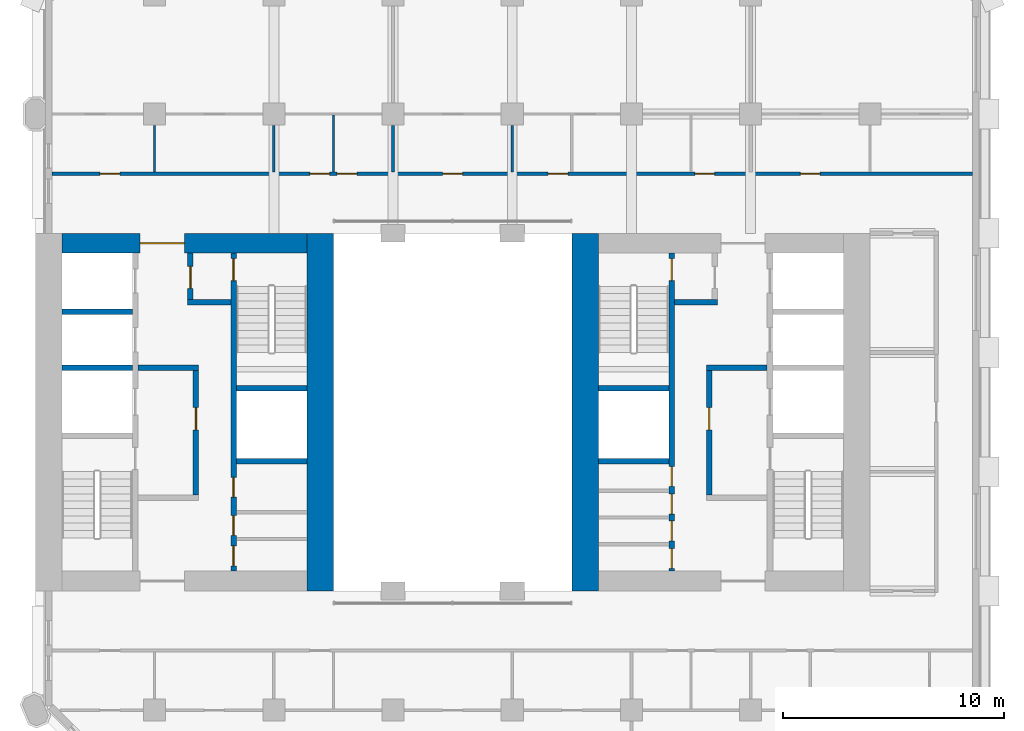
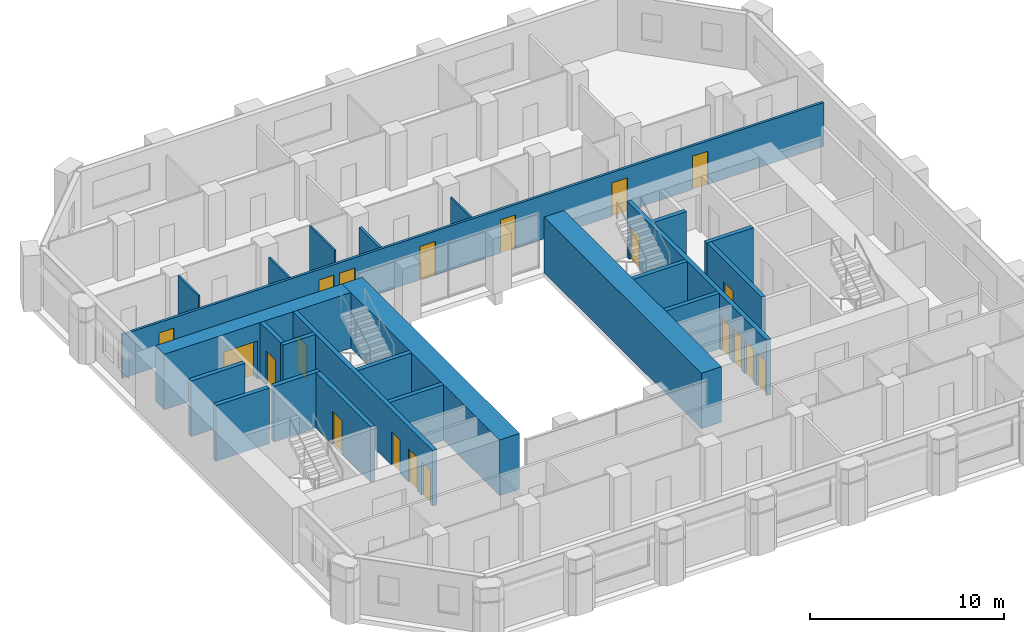
# One storey, part 5 of 11: 24 walls, 20 doors, 20 openings.
"""IFC4 building model written with IfcOpenShell, lengths in metres."""

from ifc_helpers import new_model, si_unit, direction, frame, frame_2d, origin, place, context, subcontext, project, spatial, rectangle, extrude, material, layer, layer_set, type_object, element, fill, save


model = new_model("IFC4")

# Units and contexts
model_context = context("Model", 3, precision=1e-05, world=origin(), true_north=direction((0.0, 1.0)))
body_context = subcontext(model_context, "Body", "Model", "MODEL_VIEW")
ifc_project = project(units=[si_unit("LENGTHUNIT", "METRE"), si_unit("AREAUNIT", "SQUARE_METRE"), si_unit("VOLUMEUNIT", "CUBIC_METRE"), si_unit("PLANEANGLEUNIT", "RADIAN"), si_unit("MASSUNIT", "GRAM", prefix="KILO")], contexts=[model_context])

# Site, building, storey
site_placement = place(None, origin())
site = spatial("IfcSite", under=ifc_project, at=site_placement, CompositionType="ELEMENT")
building_placement = place(site_placement, origin())
building = spatial("IfcBuilding", under=site, at=building_placement, Name="Tabaq Tower and Sports Hall", CompositionType="ELEMENT")
storey_placement = place(building_placement, frame((0.0, 0.0, 76.39990234375)))
storey = spatial("IfcBuildingStorey", under=building, at=storey_placement, Name="L17", CompositionType="ELEMENT", Elevation=76.39990234375)

# Walls
ifc_material_1 = material(Name="Concrete C60/75", Category="concrete")
ifc_layer_1 = layer(ifc_material_1, 1.199951171875)
ifc_layer_set_1 = layer_set([ifc_layer_1], Name="Core wall 1200 Concrete C60/75")
wall_type_1 = type_object("IfcWallType", Name="Core wall 1200 Concrete C60/75", PredefinedType="SOLIDWALL", material=ifc_layer_set_1)
for number, where, z_axis, x_axis, name in (
    (1, (18.300048828125, 32.39990234375, 0.0), (0.0, 0.0, 1.0), (0.0, -1.0, 0.0), "Core wall W L17"),
    (2, (30.300048828125, 16.199951171875, 0.0), (0.0, 0.0, 1.0), (0.0, 1.0, 0.0), "Core wall E L17"),
):
    element("IfcWall", number, at=place(storey_placement, frame(where, z_axis=z_axis, x_axis=x_axis)), inside=storey, type_object=wall_type_1, Name=name, PredefinedType="SOLIDWALL", context=body_context, shape_type="SweptSolid", body=[
        extrude(rectangle(XDim=16.199951171875, YDim=1.199951171875, at=frame_2d((8.10009765625, 0.0))), origin(), (0.0, 0.0, 1.0), 3.5),
    ])

# Wall, opening, door
ifc_material_2 = material(Name="Concrete C60/75", Category="concrete")
ifc_layer_2 = layer(ifc_material_2, 0.89990234375)
ifc_layer_set_2 = layer_set([ifc_layer_2], Name="Core wall 900 Concrete C60/75")
wall_type_2 = type_object("IfcWallType", Name="Core wall 900 Concrete C60/75", PredefinedType="SOLIDWALL", material=ifc_layer_set_2)
wall_1_placement = place(storey_placement, frame((6.60009765625, 31.949951171875, 0.0), z_axis=(0.0, 0.0, 1.0), x_axis=(1.0, 0.0, 0.0)))
wall_1 = element("IfcWall", 3, at=wall_1_placement, inside=storey, type_object=wall_type_2, Name="Core wall W L17", PredefinedType="SOLIDWALL", context=body_context, shape_type="SweptSolid", body=[
    extrude(rectangle(XDim=11.099853515625, YDim=0.89990234375, at=frame_2d((5.5498046875, 0.0))), origin(), (0.0, 0.0, 1.0), 3.5),
])
opening_1_placement = place(wall_1_placement, frame((3.550048828125, 0.0, 0.0)))
opening_1 = element("IfcOpeningElement", 4, at=opening_1_placement, cuts=wall_1, Name="Opening PD-WL17-02", PredefinedType="OPENING", context=body_context, shape_type="SweptSolid", body=[
    extrude(rectangle(XDim=2.0, YDim=2.39990234375, at=frame_2d((1.0, 1.199951171875))), frame((0.0, 0.449951171875, 0.0), z_axis=(0.0, -1.0, 0.0), x_axis=(1.0, 0.0, 0.0)), (0.0, 0.0, 1.0), 0.89990234375),
])
ifc_material_3 = material(Name="Steel fire door", Category="steel")
door_type_1 = type_object("IfcDoorType", Name="Core entrance door 2000", OperationType="DOUBLE_DOOR_SINGLE_SWING", PredefinedType="DOOR", material=ifc_material_3)
door_1_placement = place(opening_1_placement, origin())
door_1 = element("IfcDoor", 5, at=door_1_placement, inside=storey, type_object=door_type_1, Name="Core entrance north W L17", OperationType="DOUBLE_DOOR_SINGLE_SWING", OverallHeight=2.39990234375, OverallWidth=2.0, PredefinedType="DOOR", context=body_context, shape_type="SweptSolid", body=[
    extrude(rectangle(XDim=2.0, YDim=2.39990234375, at=frame_2d((1.0, 1.199951171875))), frame((0.0, 0.02490234375, 0.0), z_axis=(0.0, -1.0, 0.0), x_axis=(1.0, 0.0, 0.0)), (0.0, 0.0, 1.0), 0.050048828125),
])
fill(opening_1, door_1)

# Walls
ifc_material_4 = material(Name="Gypsum board on steel studs", Category="steel")
ifc_layer_3 = layer(ifc_material_4, 0.10009765625)
ifc_layer_set_3 = layer_set([ifc_layer_3], Name="Partition 100 Gypsum board")
wall_type_3 = type_object("IfcWallType", Name="Partition 100 Gypsum board", PredefinedType="PARTITIONING", material=ifc_layer_set_3)
wall_2_placement = place(storey_placement, frame((10.800048828125, 35.175048828125, 0.0), z_axis=(0.0, 0.0, 1.0), x_axis=(0.0, 1.0, 0.0)))
element("IfcWall", 6, at=wall_2_placement, inside=storey, type_object=wall_type_3, Name="Partition wall L17", PredefinedType="PARTITIONING", context=body_context, shape_type="SweptSolid", body=[
    extrude(rectangle(XDim=2.10498046875, YDim=0.10009765625, at=frame_2d((1.052490234375, 0.0))), origin(), (0.0, 0.0, 1.0), 3.5),
])
wall_3_placement = place(storey_placement, frame((16.199951171875, 35.175048828125, 0.0), z_axis=(0.0, 0.0, 1.0), x_axis=(0.0, 1.0, 0.0)))
element("IfcWall", 7, at=wall_3_placement, inside=storey, type_object=wall_type_3, Name="Partition wall L17", PredefinedType="PARTITIONING", context=body_context, shape_type="SweptSolid", body=[
    extrude(rectangle(XDim=2.10498046875, YDim=0.10009765625, at=frame_2d((1.052490234375, 0.0))), origin(), (0.0, 0.0, 1.0), 2.75),
])
wall_4_placement = place(storey_placement, frame((18.89990234375, 35.175048828125, 0.0), z_axis=(0.0, 0.0, 1.0), x_axis=(0.0, 1.0, 0.0)))
element("IfcWall", 8, at=wall_4_placement, inside=storey, type_object=wall_type_3, Name="Partition wall L17", PredefinedType="PARTITIONING", context=body_context, shape_type="SweptSolid", body=[
    extrude(rectangle(XDim=2.574951171875, YDim=0.10009765625, at=frame_2d((1.28759765625, 0.0))), origin(), (0.0, 0.0, 1.0), 3.5),
])
wall_5_placement = place(storey_placement, frame((27.0, 35.175048828125, 0.0), z_axis=(0.0, 0.0, 1.0), x_axis=(0.0, 1.0, 0.0)))
element("IfcWall", 9, at=wall_5_placement, inside=storey, type_object=wall_type_3, Name="Partition wall L17", PredefinedType="PARTITIONING", context=body_context, shape_type="SweptSolid", body=[
    extrude(rectangle(XDim=2.10498046875, YDim=0.10009765625, at=frame_2d((1.052490234375, 0.0))), origin(), (0.0, 0.0, 1.0), 2.75),
])

# Wall, openings, doors
ifc_material_5 = material(Name="Blockwork", Category="masonry")
ifc_layer_4 = layer(ifc_material_5, 0.14990234375)
ifc_layer_set_4 = layer_set([ifc_layer_4], Name="Separating wall 150 Blockwork")
wall_type_4 = type_object("IfcWallType", Name="Separating wall 150 Blockwork", PredefinedType="PARTITIONING", material=ifc_layer_set_4)
wall_6_placement = place(storey_placement, frame((47.84912109375, 35.10009765625, 0.0), z_axis=(0.0, 0.0, 1.0), x_axis=(-1.0, 0.0, 0.0)))
wall_6 = element("IfcWall", 10, at=wall_6_placement, inside=storey, type_object=wall_type_4, Name="Separating wall L17", PredefinedType="PARTITIONING", context=body_context, shape_type="SweptSolid", body=[
    extrude(rectangle(XDim=41.6982421875, YDim=0.14990234375, at=frame_2d((20.84912109375, 0.0))), origin(), (0.0, 0.0, 1.0), 2.75),
])
opening_2_placement = place(wall_6_placement, frame((29.118896484375, 0.0, 0.0)))
opening_2 = element("IfcOpeningElement", 11, at=opening_2_placement, cuts=wall_6, Name="Opening L17-001", PredefinedType="OPENING", context=body_context, shape_type="SweptSolid", body=[
    extrude(rectangle(XDim=0.89990234375, YDim=2.10009765625, at=frame_2d((0.449951171875, 1.050048828125))), frame((0.0, 0.074951171875, 0.0), z_axis=(0.0, -1.0, 0.0), x_axis=(1.0, 0.0, 0.0)), (0.0, 0.0, 1.0), 0.14990234375),
])
opening_3_placement = place(wall_6_placement, frame((27.87890625, 0.0, 0.0)))
opening_3 = element("IfcOpeningElement", 12, at=opening_3_placement, cuts=wall_6, Name="Opening L17-002", PredefinedType="OPENING", context=body_context, shape_type="SweptSolid", body=[
    extrude(rectangle(XDim=0.89990234375, YDim=2.10009765625, at=frame_2d((0.449951171875, 1.050048828125))), frame((0.0, 0.074951171875, 0.0), z_axis=(0.0, -1.0, 0.0), x_axis=(1.0, 0.0, 0.0)), (0.0, 0.0, 1.0), 0.14990234375),
])
opening_4_placement = place(wall_6_placement, frame((18.319091796875, 0.0, 0.0)))
opening_4 = element("IfcOpeningElement", 13, at=opening_4_placement, cuts=wall_6, Name="Opening L17-003", PredefinedType="OPENING", context=body_context, shape_type="SweptSolid", body=[
    extrude(rectangle(XDim=0.89990234375, YDim=2.10009765625, at=frame_2d((0.449951171875, 1.050048828125))), frame((0.0, 0.074951171875, 0.0), z_axis=(0.0, -1.0, 0.0), x_axis=(1.0, 0.0, 0.0)), (0.0, 0.0, 1.0), 0.14990234375),
])
opening_5_placement = place(wall_6_placement, frame((11.678955078125, 0.0, 0.0)))
opening_5 = element("IfcOpeningElement", 14, at=opening_5_placement, cuts=wall_6, Name="Opening L17-004", PredefinedType="OPENING", context=body_context, shape_type="SweptSolid", body=[
    extrude(rectangle(XDim=0.89990234375, YDim=2.10009765625, at=frame_2d((0.449951171875, 1.050048828125))), frame((0.0, 0.074951171875, 0.0), z_axis=(0.0, -1.0, 0.0), x_axis=(1.0, 0.0, 0.0)), (0.0, 0.0, 1.0), 0.14990234375),
])
opening_6_placement = place(wall_6_placement, frame((38.6240234375, 0.0, 0.0)))
opening_6 = element("IfcOpeningElement", 15, at=opening_6_placement, cuts=wall_6, Name="Opening L17-025", PredefinedType="OPENING", context=body_context, shape_type="SweptSolid", body=[
    extrude(rectangle(XDim=0.89990234375, YDim=2.10009765625, at=frame_2d((0.449951171875, 1.050048828125))), frame((0.0, 0.074951171875, 0.0), z_axis=(0.0, -1.0, 0.0), x_axis=(1.0, 0.0, 0.0)), (0.0, 0.0, 1.0), 0.14990234375),
])
opening_7_placement = place(wall_6_placement, frame((23.09912109375, 0.0, 0.0)))
opening_7 = element("IfcOpeningElement", 16, at=opening_7_placement, cuts=wall_6, Name="Opening L17-026", PredefinedType="OPENING", context=body_context, shape_type="SweptSolid", body=[
    extrude(rectangle(XDim=0.89990234375, YDim=2.10009765625, at=frame_2d((0.449951171875, 1.050048828125))), frame((0.0, 0.074951171875, 0.0), z_axis=(0.0, -1.0, 0.0), x_axis=(1.0, 0.0, 0.0)), (0.0, 0.0, 1.0), 0.14990234375),
])
opening_8_placement = place(wall_6_placement, frame((6.89892578125, 0.0, 0.0)))
opening_8 = element("IfcOpeningElement", 17, at=opening_8_placement, cuts=wall_6, Name="Opening L17-027", PredefinedType="OPENING", context=body_context, shape_type="SweptSolid", body=[
    extrude(rectangle(XDim=0.89990234375, YDim=2.10009765625, at=frame_2d((0.449951171875, 1.050048828125))), frame((0.0, 0.074951171875, 0.0), z_axis=(0.0, -1.0, 0.0), x_axis=(1.0, 0.0, 0.0)), (0.0, 0.0, 1.0), 0.14990234375),
])
ifc_material_6 = material(Name="Steel fire door", Category="steel")
door_type_2 = type_object("IfcDoorType", Name="Entrance door 900 left hand", OperationType="SINGLE_SWING_LEFT", PredefinedType="DOOR", material=ifc_material_6)
door_2_placement = place(opening_2_placement, origin())
door_2 = element("IfcDoor", 18, at=door_2_placement, inside=storey, type_object=door_type_2, Name="Entrance door L17-001", OperationType="SINGLE_SWING_LEFT", OverallHeight=2.10009765625, OverallWidth=0.89990234375, PredefinedType="DOOR", context=body_context, shape_type="SweptSolid", body=[
    extrude(rectangle(XDim=0.89990234375, YDim=2.10009765625, at=frame_2d((0.449951171875, 1.050048828125))), frame((0.0, 0.02490234375, 0.0), z_axis=(0.0, -1.0, 0.0), x_axis=(1.0, 0.0, 0.0)), (0.0, 0.0, 1.0), 0.050048828125),
])
fill(opening_2, door_2)
door_3_placement = place(opening_3_placement, origin())
door_3 = element("IfcDoor", 19, at=door_3_placement, inside=storey, type_object=door_type_2, Name="Entrance door L17-002", OperationType="SINGLE_SWING_LEFT", OverallHeight=2.10009765625, OverallWidth=0.89990234375, PredefinedType="DOOR", context=body_context, shape_type="SweptSolid", body=[
    extrude(rectangle(XDim=0.89990234375, YDim=2.10009765625, at=frame_2d((0.449951171875, 1.050048828125))), frame((0.0, 0.02490234375, 0.0), z_axis=(0.0, -1.0, 0.0), x_axis=(1.0, 0.0, 0.0)), (0.0, 0.0, 1.0), 0.050048828125),
])
fill(opening_3, door_3)
door_4_placement = place(opening_4_placement, origin())
door_4 = element("IfcDoor", 20, at=door_4_placement, inside=storey, type_object=door_type_2, Name="Entrance door L17-003", OperationType="SINGLE_SWING_LEFT", OverallHeight=2.10009765625, OverallWidth=0.89990234375, PredefinedType="DOOR", context=body_context, shape_type="SweptSolid", body=[
    extrude(rectangle(XDim=0.89990234375, YDim=2.10009765625, at=frame_2d((0.449951171875, 1.050048828125))), frame((0.0, 0.02490234375, 0.0), z_axis=(0.0, -1.0, 0.0), x_axis=(1.0, 0.0, 0.0)), (0.0, 0.0, 1.0), 0.050048828125),
])
fill(opening_4, door_4)
door_5_placement = place(opening_5_placement, origin())
door_5 = element("IfcDoor", 21, at=door_5_placement, inside=storey, type_object=door_type_2, Name="Entrance door L17-004", OperationType="SINGLE_SWING_LEFT", OverallHeight=2.10009765625, OverallWidth=0.89990234375, PredefinedType="DOOR", context=body_context, shape_type="SweptSolid", body=[
    extrude(rectangle(XDim=0.89990234375, YDim=2.10009765625, at=frame_2d((0.449951171875, 1.050048828125))), frame((0.0, 0.02490234375, 0.0), z_axis=(0.0, -1.0, 0.0), x_axis=(1.0, 0.0, 0.0)), (0.0, 0.0, 1.0), 0.050048828125),
])
fill(opening_5, door_5)
door_6_placement = place(opening_6_placement, origin())
door_6 = element("IfcDoor", 22, at=door_6_placement, inside=storey, type_object=door_type_2, Name="Entrance door L17-025", OperationType="SINGLE_SWING_LEFT", OverallHeight=2.10009765625, OverallWidth=0.89990234375, PredefinedType="DOOR", context=body_context, shape_type="SweptSolid", body=[
    extrude(rectangle(XDim=0.89990234375, YDim=2.10009765625, at=frame_2d((0.449951171875, 1.050048828125))), frame((0.0, 0.02490234375, 0.0), z_axis=(0.0, -1.0, 0.0), x_axis=(1.0, 0.0, 0.0)), (0.0, 0.0, 1.0), 0.050048828125),
])
fill(opening_6, door_6)
door_7_placement = place(opening_7_placement, origin())
door_7 = element("IfcDoor", 23, at=door_7_placement, inside=storey, type_object=door_type_2, Name="Entrance door L17-026", OperationType="SINGLE_SWING_LEFT", OverallHeight=2.10009765625, OverallWidth=0.89990234375, PredefinedType="DOOR", context=body_context, shape_type="SweptSolid", body=[
    extrude(rectangle(XDim=0.89990234375, YDim=2.10009765625, at=frame_2d((0.449951171875, 1.050048828125))), frame((0.0, 0.02490234375, 0.0), z_axis=(0.0, -1.0, 0.0), x_axis=(1.0, 0.0, 0.0)), (0.0, 0.0, 1.0), 0.050048828125),
])
fill(opening_7, door_7)
door_8_placement = place(opening_8_placement, origin())
door_8 = element("IfcDoor", 24, at=door_8_placement, inside=storey, type_object=door_type_2, Name="Entrance door L17-027", OperationType="SINGLE_SWING_LEFT", OverallHeight=2.10009765625, OverallWidth=0.89990234375, PredefinedType="DOOR", context=body_context, shape_type="SweptSolid", body=[
    extrude(rectangle(XDim=0.89990234375, YDim=2.10009765625, at=frame_2d((0.449951171875, 1.050048828125))), frame((0.0, 0.02490234375, 0.0), z_axis=(0.0, -1.0, 0.0), x_axis=(1.0, 0.0, 0.0)), (0.0, 0.0, 1.0), 0.050048828125),
])
fill(opening_8, door_8)

# Wall
wall_7_placement = place(storey_placement, frame((21.60009765625, 35.175048828125, 0.0), z_axis=(0.0, 0.0, 1.0), x_axis=(0.0, 1.0, 0.0)))
element("IfcWall", 25, at=wall_7_placement, inside=storey, type_object=wall_type_4, Name="Separating wall L17", PredefinedType="PARTITIONING", context=body_context, shape_type="SweptSolid", body=[
    extrude(rectangle(XDim=2.10498046875, YDim=0.14990234375, at=frame_2d((1.052490234375, 0.0))), origin(), (0.0, 0.0, 1.0), 2.75),
])

# Wall, openings, doors
ifc_material_7 = material(Name="Concrete C40/50", Category="concrete")
ifc_layer_5 = layer(ifc_material_7, 0.25)
ifc_layer_set_5 = layer_set([ifc_layer_5], Name="Shaft and stair wall 250 Concrete C40/50")
wall_type_5 = type_object("IfcWallType", Name="Shaft and stair wall 250 Concrete C40/50", PredefinedType="SOLIDWALL", material=ifc_layer_set_5)
wall_8_placement = place(storey_placement, frame((14.375, 17.10009765625, 0.0), z_axis=(0.0, 0.0, 1.0), x_axis=(0.0, 1.0, 0.0)))
wall_8 = element("IfcWall", 26, at=wall_8_placement, inside=storey, type_object=wall_type_5, Name="Shaft wall W L17", PredefinedType="SOLIDWALL", context=body_context, shape_type="SweptSolid", body=[
    extrude(rectangle(XDim=14.39990234375, YDim=0.25, at=frame_2d((7.199951171875, 0.0))), origin(), (0.0, 0.0, 1.0), 3.5),
])
opening_9_placement = place(wall_8_placement, frame((13.14990234375, 0.0, 0.0)))
opening_9 = element("IfcOpeningElement", 27, at=opening_9_placement, cuts=wall_8, Name="Opening SD-WL17-05", PredefinedType="OPENING", context=body_context, shape_type="SweptSolid", body=[
    extrude(rectangle(XDim=1.0, YDim=2.10009765625, at=frame_2d((0.5, 1.050048828125))), frame((0.0, 0.125, 0.0), z_axis=(0.0, -1.0, 0.0), x_axis=(1.0, 0.0, 0.0)), (0.0, 0.0, 1.0), 0.25),
])
opening_10_placement = place(wall_8_placement, frame((0.239990234375, 0.0, 0.0)))
opening_10 = element("IfcOpeningElement", 28, at=opening_10_placement, cuts=wall_8, Name="Opening RD-WL17-10", PredefinedType="OPENING", context=body_context, shape_type="SweptSolid", body=[
    extrude(rectangle(XDim=0.89990234375, YDim=2.10009765625, at=frame_2d((0.449951171875, 1.050048828125))), frame((0.0, 0.125, 0.0), z_axis=(0.0, -1.0, 0.0), x_axis=(1.0, 0.0, 0.0)), (0.0, 0.0, 1.0), 0.25),
])
opening_11_placement = place(wall_8_placement, frame((1.611083984375, 0.0, 0.0)))
opening_11 = element("IfcOpeningElement", 29, at=opening_11_placement, cuts=wall_8, Name="Opening RD-WL17-11", PredefinedType="OPENING", context=body_context, shape_type="SweptSolid", body=[
    extrude(rectangle(XDim=0.89990234375, YDim=2.10009765625, at=frame_2d((0.449951171875, 1.050048828125))), frame((0.0, 0.125, 0.0), z_axis=(0.0, -1.0, 0.0), x_axis=(1.0, 0.0, 0.0)), (0.0, 0.0, 1.0), 0.25),
])
opening_12_placement = place(wall_8_placement, frame((3.345947265625, 0.0, 0.0)))
opening_12 = element("IfcOpeningElement", 30, at=opening_12_placement, cuts=wall_8, Name="Opening RD-WL17-12", PredefinedType="OPENING", context=body_context, shape_type="SweptSolid", body=[
    extrude(rectangle(XDim=0.89990234375, YDim=2.10009765625, at=frame_2d((0.449951171875, 1.050048828125))), frame((0.0, 0.125, 0.0), z_axis=(0.0, -1.0, 0.0), x_axis=(1.0, 0.0, 0.0)), (0.0, 0.0, 1.0), 0.25),
])
ifc_material_8 = material(Name="Steel fire door", Category="steel")
door_type_3 = type_object("IfcDoorType", Name="Core room door 900", OperationType="SINGLE_SWING_LEFT", PredefinedType="DOOR", material=ifc_material_8)
door_9_placement = place(opening_10_placement, origin())
door_9 = element("IfcDoor", 31, at=door_9_placement, inside=storey, type_object=door_type_3, Name="Door Accessible WC W L17", OperationType="SINGLE_SWING_LEFT", OverallHeight=2.10009765625, OverallWidth=0.89990234375, PredefinedType="DOOR", context=body_context, shape_type="SweptSolid", body=[
    extrude(rectangle(XDim=0.89990234375, YDim=2.10009765625, at=frame_2d((0.449951171875, 1.050048828125))), frame((0.0, 0.02490234375, 0.0), z_axis=(0.0, -1.0, 0.0), x_axis=(1.0, 0.0, 0.0)), (0.0, 0.0, 1.0), 0.050048828125),
])
fill(opening_10, door_9)
door_10_placement = place(opening_11_placement, origin())
door_10 = element("IfcDoor", 32, at=door_10_placement, inside=storey, type_object=door_type_3, Name="Door Electrical Riser Room W L17", OperationType="SINGLE_SWING_LEFT", OverallHeight=2.10009765625, OverallWidth=0.89990234375, PredefinedType="DOOR", context=body_context, shape_type="SweptSolid", body=[
    extrude(rectangle(XDim=0.89990234375, YDim=2.10009765625, at=frame_2d((0.449951171875, 1.050048828125))), frame((0.0, 0.02490234375, 0.0), z_axis=(0.0, -1.0, 0.0), x_axis=(1.0, 0.0, 0.0)), (0.0, 0.0, 1.0), 0.050048828125),
])
fill(opening_11, door_10)
door_11_placement = place(opening_12_placement, origin())
door_11 = element("IfcDoor", 33, at=door_11_placement, inside=storey, type_object=door_type_3, Name="Door Unisex WC W L17", OperationType="SINGLE_SWING_LEFT", OverallHeight=2.10009765625, OverallWidth=0.89990234375, PredefinedType="DOOR", context=body_context, shape_type="SweptSolid", body=[
    extrude(rectangle(XDim=0.89990234375, YDim=2.10009765625, at=frame_2d((0.449951171875, 1.050048828125))), frame((0.0, 0.02490234375, 0.0), z_axis=(0.0, -1.0, 0.0), x_axis=(1.0, 0.0, 0.0)), (0.0, 0.0, 1.0), 0.050048828125),
])
fill(opening_12, door_11)
ifc_material_9 = material(Name="Steel fire door", Category="steel")
door_type_4 = type_object("IfcDoorType", Name="Stair door 1000", OperationType="SINGLE_SWING_LEFT", PredefinedType="DOOR", material=ifc_material_9)
door_12_placement = place(opening_9_placement, origin())
door_12 = element("IfcDoor", 34, at=door_12_placement, inside=storey, type_object=door_type_4, Name="Stair door ST2 W L17", OperationType="SINGLE_SWING_LEFT", OverallHeight=2.10009765625, OverallWidth=1.0, PredefinedType="DOOR", context=body_context, shape_type="SweptSolid", body=[
    extrude(rectangle(XDim=1.0, YDim=2.10009765625, at=frame_2d((0.5, 1.050048828125))), frame((0.0, 0.02490234375, 0.0), z_axis=(0.0, -1.0, 0.0), x_axis=(1.0, 0.0, 0.0)), (0.0, 0.0, 1.0), 0.050048828125),
])
fill(opening_9, door_12)

# Walls
for number, where, z_axis, x_axis, name in (
    (35, (14.5, 25.375, 0.0), (0.0, 0.0, 1.0), (1.0, 0.0, 0.0), "Stair enclosure wall W L17"),
    (36, (14.5, 22.074951171875, 0.0), (0.0, 0.0, 1.0), (1.0, 0.0, 0.0), "Shaft wall W L17"),
    (37, (6.60009765625, 26.300048828125, 0.0), (0.0, 0.0, 1.0), (1.0, 0.0, 0.0), "Shaft wall W L17"),
):
    element("IfcWall", number, at=place(storey_placement, frame(where, z_axis=z_axis, x_axis=x_axis)), inside=storey, type_object=wall_type_5, Name=name, PredefinedType="SOLIDWALL", context=body_context, shape_type="SweptSolid", body=[
        extrude(rectangle(XDim=3.199951171875, YDim=0.25, at=frame_2d((1.60009765625, 0.0))), origin(), (0.0, 0.0, 1.0), 3.5),
    ])
wall_9_placement = place(storey_placement, frame((10.050048828125, 26.300048828125, 0.0), z_axis=(0.0, 0.0, 1.0), x_axis=(1.0, 0.0, 0.0)))
element("IfcWall", 38, at=wall_9_placement, inside=storey, type_object=wall_type_5, Name="Fire-fighting lobby wall W L17", PredefinedType="SOLIDWALL", context=body_context, shape_type="SweptSolid", body=[
    extrude(rectangle(XDim=2.75, YDim=0.25, at=frame_2d((1.375, 0.0))), origin(), (0.0, 0.0, 1.0), 3.5),
])

# Wall, opening, door
wall_10_placement = place(storey_placement, frame((12.425048828125, 29.39990234375, 0.0), z_axis=(0.0, 0.0, 1.0), x_axis=(0.0, 1.0, 0.0)))
wall_10 = element("IfcWall", 39, at=wall_10_placement, inside=storey, type_object=wall_type_5, Name="Fire-fighting lobby wall W L17", PredefinedType="SOLIDWALL", context=body_context, shape_type="SweptSolid", body=[
    extrude(rectangle(XDim=2.10009765625, YDim=0.25, at=frame_2d((1.050048828125, 0.0))), origin(), (0.0, 0.0, 1.0), 3.5),
])
opening_13_placement = place(wall_10_placement, frame((0.5, 0.0, 0.0)))
opening_13 = element("IfcOpeningElement", 40, at=opening_13_placement, cuts=wall_10, Name="Opening FD-WL17-06", PredefinedType="OPENING", context=body_context, shape_type="SweptSolid", body=[
    extrude(rectangle(XDim=1.0, YDim=2.10009765625, at=frame_2d((0.5, 1.050048828125))), frame((0.0, 0.125, 0.0), z_axis=(0.0, -1.0, 0.0), x_axis=(1.0, 0.0, 0.0)), (0.0, 0.0, 1.0), 0.25),
])
ifc_material_10 = material(Name="Steel fire door", Category="steel")
door_type_5 = type_object("IfcDoorType", Name="Fire-fighting lobby door 1000", OperationType="SINGLE_SWING_LEFT", PredefinedType="DOOR", material=ifc_material_10)
door_13_placement = place(opening_13_placement, origin())
door_13 = element("IfcDoor", 41, at=door_13_placement, inside=storey, type_object=door_type_5, Name="Stair lobby door W L17", OperationType="SINGLE_SWING_LEFT", OverallHeight=2.10009765625, OverallWidth=1.0, PredefinedType="DOOR", context=body_context, shape_type="SweptSolid", body=[
    extrude(rectangle(XDim=1.0, YDim=2.10009765625, at=frame_2d((0.5, 1.050048828125))), frame((0.0, 0.02490234375, 0.0), z_axis=(0.0, -1.0, 0.0), x_axis=(1.0, 0.0, 0.0)), (0.0, 0.0, 1.0), 0.050048828125),
])
fill(opening_13, door_13)

# Wall
wall_11_placement = place(storey_placement, frame((12.300048828125, 29.27490234375, 0.0), z_axis=(0.0, 0.0, 1.0), x_axis=(1.0, 0.0, 0.0)))
element("IfcWall", 42, at=wall_11_placement, inside=storey, type_object=wall_type_5, Name="Fire-fighting lobby wall W L17", PredefinedType="SOLIDWALL", context=body_context, shape_type="SweptSolid", body=[
    extrude(rectangle(XDim=1.949951171875, YDim=0.25, at=frame_2d((0.97509765625, 0.0))), origin(), (0.0, 0.0, 1.0), 3.5),
])

# Wall, opening, door
wall_12_placement = place(storey_placement, frame((12.675048828125, 20.550048828125, 0.0), z_axis=(0.0, 0.0, 1.0), x_axis=(0.0, 1.0, 0.0)))
wall_12 = element("IfcWall", 43, at=wall_12_placement, inside=storey, type_object=wall_type_5, Name="Fire-fighting lobby wall W L17", PredefinedType="SOLIDWALL", context=body_context, shape_type="SweptSolid", body=[
    extrude(rectangle(XDim=5.625, YDim=0.25, at=frame_2d((2.8125, 0.0))), origin(), (0.0, 0.0, 1.0), 3.5),
])
opening_14_placement = place(wall_12_placement, frame((2.949951171875, 0.0, 0.0)))
opening_14 = element("IfcOpeningElement", 44, at=opening_14_placement, cuts=wall_12, Name="Opening FD-WL17-04", PredefinedType="OPENING", context=body_context, shape_type="SweptSolid", body=[
    extrude(rectangle(XDim=1.0, YDim=2.10009765625, at=frame_2d((0.5, 1.050048828125))), frame((0.0, 0.125, 0.0), z_axis=(0.0, -1.0, 0.0), x_axis=(1.0, 0.0, 0.0)), (0.0, 0.0, 1.0), 0.25),
])
door_14_placement = place(opening_14_placement, origin())
door_14 = element("IfcDoor", 45, at=door_14_placement, inside=storey, type_object=door_type_5, Name="Fire-fighting lobby door W L17", OperationType="SINGLE_SWING_LEFT", OverallHeight=2.10009765625, OverallWidth=1.0, PredefinedType="DOOR", context=body_context, shape_type="SweptSolid", body=[
    extrude(rectangle(XDim=1.0, YDim=2.10009765625, at=frame_2d((0.5, 1.050048828125))), frame((0.0, 0.02490234375, 0.0), z_axis=(0.0, -1.0, 0.0), x_axis=(1.0, 0.0, 0.0)), (0.0, 0.0, 1.0), 0.050048828125),
])
fill(opening_14, door_14)

# Wall
wall_13_placement = place(storey_placement, frame((6.60009765625, 28.85009765625, 0.0), z_axis=(0.0, 0.0, 1.0), x_axis=(1.0, 0.0, 0.0)))
element("IfcWall", 46, at=wall_13_placement, inside=storey, type_object=wall_type_5, Name="Shaft wall W L17", PredefinedType="SOLIDWALL", context=body_context, shape_type="SweptSolid", body=[
    extrude(rectangle(XDim=3.199951171875, YDim=0.25, at=frame_2d((1.60009765625, 0.0))), origin(), (0.0, 0.0, 1.0), 3.5),
])

# Wall, openings, doors
wall_14_placement = place(storey_placement, frame((34.22509765625, 17.10009765625, 0.0), z_axis=(0.0, 0.0, 1.0), x_axis=(0.0, 1.0, 0.0)))
wall_14 = element("IfcWall", 47, at=wall_14_placement, inside=storey, type_object=wall_type_5, Name="Shaft wall E L17", PredefinedType="SOLIDWALL", context=body_context, shape_type="SweptSolid", body=[
    extrude(rectangle(XDim=14.39990234375, YDim=0.25, at=frame_2d((7.199951171875, 0.0))), origin(), (0.0, 0.0, 1.0), 3.5),
])
opening_15_placement = place(wall_14_placement, frame((13.14990234375, 0.0, 0.0)))
opening_15 = element("IfcOpeningElement", 48, at=opening_15_placement, cuts=wall_14, Name="Opening SD-EL17-05", PredefinedType="OPENING", context=body_context, shape_type="SweptSolid", body=[
    extrude(rectangle(XDim=1.0, YDim=2.10009765625, at=frame_2d((0.5, 1.050048828125))), frame((0.0, 0.125, 0.0), z_axis=(0.0, -1.0, 0.0), x_axis=(1.0, 0.0, 0.0)), (0.0, 0.0, 1.0), 0.25),
])
opening_16_placement = place(wall_14_placement, frame((0.118408203125, 0.0, 0.0)))
opening_16 = element("IfcOpeningElement", 49, at=opening_16_placement, cuts=wall_14, Name="Opening RD-EL17-10", PredefinedType="OPENING", context=body_context, shape_type="SweptSolid", body=[
    extrude(rectangle(XDim=0.89990234375, YDim=2.10009765625, at=frame_2d((0.449951171875, 1.050048828125))), frame((0.0, 0.125, 0.0), z_axis=(0.0, -1.0, 0.0), x_axis=(1.0, 0.0, 0.0)), (0.0, 0.0, 1.0), 0.25),
])
opening_17_placement = place(wall_14_placement, frame((1.368408203125, 0.0, 0.0)))
opening_17 = element("IfcOpeningElement", 50, at=opening_17_placement, cuts=wall_14, Name="Opening RD-EL17-11", PredefinedType="OPENING", context=body_context, shape_type="SweptSolid", body=[
    extrude(rectangle(XDim=0.89990234375, YDim=2.10009765625, at=frame_2d((0.449951171875, 1.050048828125))), frame((0.0, 0.125, 0.0), z_axis=(0.0, -1.0, 0.0), x_axis=(1.0, 0.0, 0.0)), (0.0, 0.0, 1.0), 0.25),
])
opening_18_placement = place(wall_14_placement, frame((2.5810546875, 0.0, 0.0)))
opening_18 = element("IfcOpeningElement", 51, at=opening_18_placement, cuts=wall_14, Name="Opening RD-EL17-12", PredefinedType="OPENING", context=body_context, shape_type="SweptSolid", body=[
    extrude(rectangle(XDim=0.89990234375, YDim=2.10009765625, at=frame_2d((0.449951171875, 1.050048828125))), frame((0.0, 0.125, 0.0), z_axis=(0.0, -1.0, 0.0), x_axis=(1.0, 0.0, 0.0)), (0.0, 0.0, 1.0), 0.25),
])
opening_19_placement = place(wall_14_placement, frame((3.8310546875, 0.0, 0.0)))
opening_19 = element("IfcOpeningElement", 52, at=opening_19_placement, cuts=wall_14, Name="Opening RD-EL17-13", PredefinedType="OPENING", context=body_context, shape_type="SweptSolid", body=[
    extrude(rectangle(XDim=0.89990234375, YDim=2.10009765625, at=frame_2d((0.449951171875, 1.050048828125))), frame((0.0, 0.125, 0.0), z_axis=(0.0, -1.0, 0.0), x_axis=(1.0, 0.0, 0.0)), (0.0, 0.0, 1.0), 0.25),
])
door_15_placement = place(opening_16_placement, origin())
door_15 = element("IfcDoor", 53, at=door_15_placement, inside=storey, type_object=door_type_3, Name="Door Cleaner's Store E L17", OperationType="SINGLE_SWING_LEFT", OverallHeight=2.10009765625, OverallWidth=0.89990234375, PredefinedType="DOOR", context=body_context, shape_type="SweptSolid", body=[
    extrude(rectangle(XDim=0.89990234375, YDim=2.10009765625, at=frame_2d((0.449951171875, 1.050048828125))), frame((0.0, 0.02490234375, 0.0), z_axis=(0.0, -1.0, 0.0), x_axis=(1.0, 0.0, 0.0)), (0.0, 0.0, 1.0), 0.050048828125),
])
fill(opening_16, door_15)
door_16_placement = place(opening_17_placement, origin())
door_16 = element("IfcDoor", 54, at=door_16_placement, inside=storey, type_object=door_type_3, Name="Door Gents WC E L17", OperationType="SINGLE_SWING_LEFT", OverallHeight=2.10009765625, OverallWidth=0.89990234375, PredefinedType="DOOR", context=body_context, shape_type="SweptSolid", body=[
    extrude(rectangle(XDim=0.89990234375, YDim=2.10009765625, at=frame_2d((0.449951171875, 1.050048828125))), frame((0.0, 0.02490234375, 0.0), z_axis=(0.0, -1.0, 0.0), x_axis=(1.0, 0.0, 0.0)), (0.0, 0.0, 1.0), 0.050048828125),
])
fill(opening_17, door_16)
door_17_placement = place(opening_18_placement, origin())
door_17 = element("IfcDoor", 55, at=door_17_placement, inside=storey, type_object=door_type_3, Name="Door Ladies WC E L17", OperationType="SINGLE_SWING_LEFT", OverallHeight=2.10009765625, OverallWidth=0.89990234375, PredefinedType="DOOR", context=body_context, shape_type="SweptSolid", body=[
    extrude(rectangle(XDim=0.89990234375, YDim=2.10009765625, at=frame_2d((0.449951171875, 1.050048828125))), frame((0.0, 0.02490234375, 0.0), z_axis=(0.0, -1.0, 0.0), x_axis=(1.0, 0.0, 0.0)), (0.0, 0.0, 1.0), 0.050048828125),
])
fill(opening_18, door_17)
door_18_placement = place(opening_19_placement, origin())
door_18 = element("IfcDoor", 56, at=door_18_placement, inside=storey, type_object=door_type_3, Name="Door Accessible WC E L17", OperationType="SINGLE_SWING_LEFT", OverallHeight=2.10009765625, OverallWidth=0.89990234375, PredefinedType="DOOR", context=body_context, shape_type="SweptSolid", body=[
    extrude(rectangle(XDim=0.89990234375, YDim=2.10009765625, at=frame_2d((0.449951171875, 1.050048828125))), frame((0.0, 0.02490234375, 0.0), z_axis=(0.0, -1.0, 0.0), x_axis=(1.0, 0.0, 0.0)), (0.0, 0.0, 1.0), 0.050048828125),
])
fill(opening_19, door_18)
door_19_placement = place(opening_15_placement, origin())
door_19 = element("IfcDoor", 57, at=door_19_placement, inside=storey, type_object=door_type_4, Name="Stair door ST4 E L17", OperationType="SINGLE_SWING_LEFT", OverallHeight=2.10009765625, OverallWidth=1.0, PredefinedType="DOOR", context=body_context, shape_type="SweptSolid", body=[
    extrude(rectangle(XDim=1.0, YDim=2.10009765625, at=frame_2d((0.5, 1.050048828125))), frame((0.0, 0.02490234375, 0.0), z_axis=(0.0, -1.0, 0.0), x_axis=(1.0, 0.0, 0.0)), (0.0, 0.0, 1.0), 0.050048828125),
])
fill(opening_15, door_19)

# Walls
for number, where, z_axis, x_axis, name in (
    (58, (30.89990234375, 25.375, 0.0), (0.0, 0.0, 1.0), (1.0, 0.0, 0.0), "Stair enclosure wall E L17"),
    (59, (30.89990234375, 22.074951171875, 0.0), (0.0, 0.0, 1.0), (1.0, 0.0, 0.0), "Shaft wall E L17"),
):
    element("IfcWall", number, at=place(storey_placement, frame(where, z_axis=z_axis, x_axis=x_axis)), inside=storey, type_object=wall_type_5, Name=name, PredefinedType="SOLIDWALL", context=body_context, shape_type="SweptSolid", body=[
        extrude(rectangle(XDim=3.2001953125, YDim=0.25, at=frame_2d((1.60009765625, 0.0))), origin(), (0.0, 0.0, 1.0), 3.5),
    ])
wall_15_placement = place(storey_placement, frame((35.800048828125, 26.300048828125, 0.0), z_axis=(0.0, 0.0, 1.0), x_axis=(1.0, 0.0, 0.0)))
element("IfcWall", 60, at=wall_15_placement, inside=storey, type_object=wall_type_5, Name="Fire-fighting lobby wall E L17", PredefinedType="SOLIDWALL", context=body_context, shape_type="SweptSolid", body=[
    extrude(rectangle(XDim=2.75, YDim=0.25, at=frame_2d((1.375, 0.0))), origin(), (0.0, 0.0, 1.0), 3.5),
])
wall_16_placement = place(storey_placement, frame((34.35009765625, 29.27490234375, 0.0), z_axis=(0.0, 0.0, 1.0), x_axis=(1.0, 0.0, 0.0)))
element("IfcWall", 61, at=wall_16_placement, inside=storey, type_object=wall_type_5, Name="Fire-fighting lobby wall E L17", PredefinedType="SOLIDWALL", context=body_context, shape_type="SweptSolid", body=[
    extrude(rectangle(XDim=1.949951171875, YDim=0.25, at=frame_2d((0.97509765625, 0.0))), origin(), (0.0, 0.0, 1.0), 3.5),
])

# Wall, opening, door
wall_17_placement = place(storey_placement, frame((35.925048828125, 20.550048828125, 0.0), z_axis=(0.0, 0.0, 1.0), x_axis=(0.0, 1.0, 0.0)))
wall_17 = element("IfcWall", 62, at=wall_17_placement, inside=storey, type_object=wall_type_5, Name="Fire-fighting lobby wall E L17", PredefinedType="SOLIDWALL", context=body_context, shape_type="SweptSolid", body=[
    extrude(rectangle(XDim=5.625, YDim=0.25, at=frame_2d((2.8125, 0.0))), origin(), (0.0, 0.0, 1.0), 3.5),
])
opening_20_placement = place(wall_17_placement, frame((2.949951171875, 0.0, 0.0)))
opening_20 = element("IfcOpeningElement", 63, at=opening_20_placement, cuts=wall_17, Name="Opening FD-EL17-04", PredefinedType="OPENING", context=body_context, shape_type="SweptSolid", body=[
    extrude(rectangle(XDim=1.0, YDim=2.10009765625, at=frame_2d((0.5, 1.050048828125))), frame((0.0, 0.125, 0.0), z_axis=(0.0, -1.0, 0.0), x_axis=(1.0, 0.0, 0.0)), (0.0, 0.0, 1.0), 0.25),
])
door_20_placement = place(opening_20_placement, origin())
door_20 = element("IfcDoor", 64, at=door_20_placement, inside=storey, type_object=door_type_5, Name="Fire-fighting lobby door E L17", OperationType="SINGLE_SWING_LEFT", OverallHeight=2.10009765625, OverallWidth=1.0, PredefinedType="DOOR", context=body_context, shape_type="SweptSolid", body=[
    extrude(rectangle(XDim=1.0, YDim=2.10009765625, at=frame_2d((0.5, 1.050048828125))), frame((0.0, 0.02490234375, 0.0), z_axis=(0.0, -1.0, 0.0), x_axis=(1.0, 0.0, 0.0)), (0.0, 0.0, 1.0), 0.050048828125),
])
fill(opening_20, door_20)

save(model, "model.ifc")
